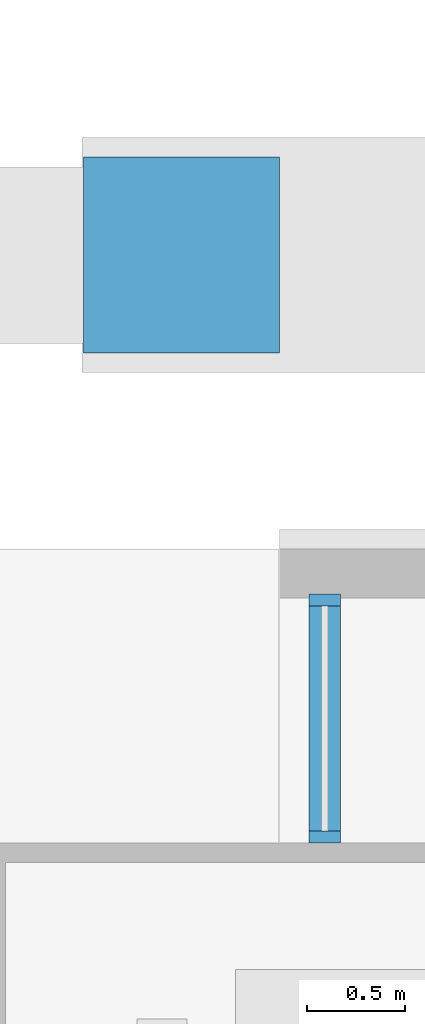
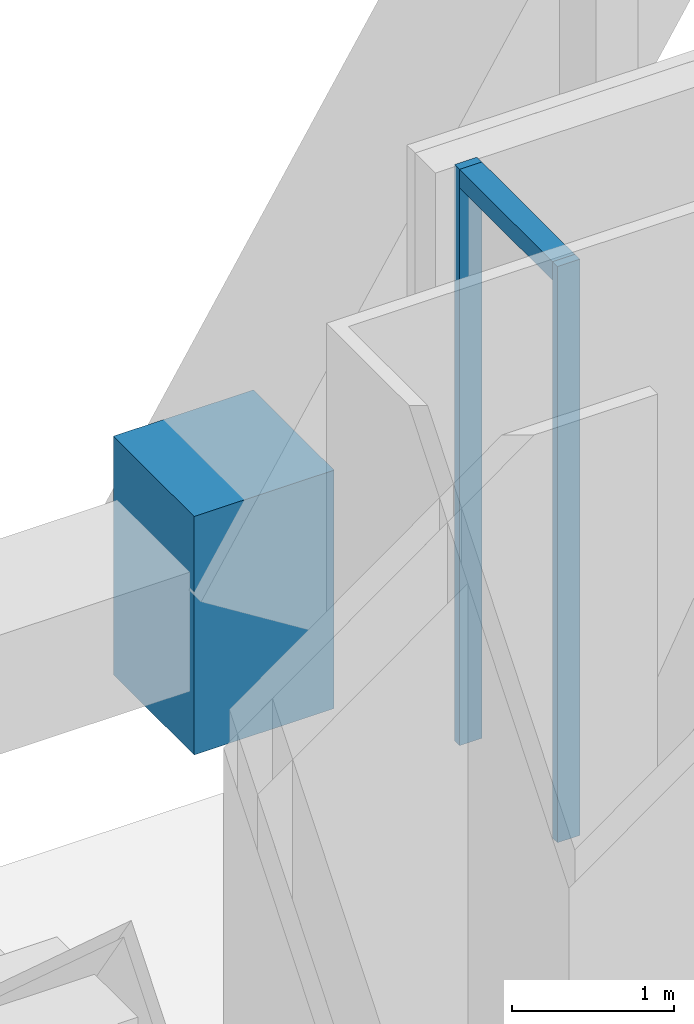
# One storey, part 13 of 29: 4 members, 1 element without a shape of its own.
"""IFC4 building model written with IfcOpenShell, lengths in metres."""

from ifc_helpers import new_model, si_unit, direction, frame, origin, origin_2d, place, context, subcontext, project, spatial, rectangle, extrude, material, material_profile, profile_set, type_object, element, aggregate, save


model = new_model("IFC4")

# Units and contexts
model_context = context("Model", 3, precision=1e-05, world=origin(), true_north=direction((0.0, 1.0)))
body_context = subcontext(model_context, "Body", "Model", "MODEL_VIEW")
ifc_project = project(units=[si_unit("LENGTHUNIT", "METRE"), si_unit("AREAUNIT", "SQUARE_METRE"), si_unit("VOLUMEUNIT", "CUBIC_METRE"), si_unit("PLANEANGLEUNIT", "RADIAN"), si_unit("MASSUNIT", "GRAM", prefix="KILO")], contexts=[model_context])

# Site, building, storey
site_placement = place(None, origin())
site = spatial("IfcSite", under=ifc_project, at=site_placement, CompositionType="ELEMENT")
building_placement = place(site_placement, origin())
building = spatial("IfcBuilding", under=site, at=building_placement, Name="Bicima Exchange Tower", CompositionType="ELEMENT")
storey_placement = place(building_placement, frame((0.0, 0.0, 35.0)))
storey = spatial("IfcBuildingStorey", under=building, at=storey_placement, Name="L06", CompositionType="ELEMENT", Elevation=35.0)

# Member
ifc_material_1 = material(Name="Cast steel ASTM A216 Gr WCB", Category="steel")
ifc_material_profile_1 = material_profile(ifc_material_1, rectangle(XDim=1.0, YDim=1.0, at=origin_2d()))
ifc_profile_set_1 = profile_set([ifc_material_profile_1], Name="Cast steel ASTM A216 Gr WCB")
member_type_1 = type_object("IfcMemberType", Name="Exo node block", PredefinedType="POST", material=ifc_profile_set_1)
member_1_placement = place(storey_placement, frame((-33.5, 1.5, -0.449951171875), z_axis=(0.0, 0.0, 1.0), x_axis=(1.0, 0.0, 0.0)))
element("IfcMember", 1, at=member_1_placement, inside=storey, type_object=member_type_1, Name="Exo node block", PredefinedType="POST", context=body_context, shape_type="SweptSolid", body=[
    extrude(rectangle(XDim=1.0, YDim=1.0, at=origin_2d()), origin(), (0.0, 0.0, 1.0), 1.800048828125),
])

# Curtain wall, members
ifc_material_2 = material(Name="Anodised bronze aluminium", Category="aluminium")
curtain_wall_type = type_object("IfcCurtainWallType", Name="Front glass wall", PredefinedType="NOTDEFINED", material=ifc_material_2)
curtain_wall_placement = place(storey_placement, origin())
curtain_wall = element("IfcCurtainWall", 2, at=curtain_wall_placement, inside=storey, type_object=curtain_wall_type, Name="Front glass wall L06 run 1", PredefinedType="NOTDEFINED")
ifc_material_profile_2 = material_profile(ifc_material_2, rectangle(XDim=0.159912109375, YDim=0.06005859375, at=origin_2d()))
ifc_profile_set_2 = profile_set([ifc_material_profile_2], Name="Anodised bronze aluminium")
member_type_2 = type_object("IfcMemberType", Name="Front glass wall mullion 60 x 160", PredefinedType="MULLION", material=ifc_profile_set_2)
member_2_placement = place(storey_placement, frame((-32.77001953125, -0.260009765625, 0.0), z_axis=(0.0, 0.0, 1.0), x_axis=(1.0, 0.0, 0.0)))
member_2 = element("IfcMember", 3, at=member_2_placement, type_object=member_type_2, Name="Front glass wall mullion 1", PredefinedType="MULLION", context=body_context, shape_type="SweptSolid", body=[
    extrude(rectangle(XDim=0.159912109375, YDim=0.06005859375, at=origin_2d()), origin(), (0.0, 0.0, 1.0), 4.35009765625),
])
member_3_placement = place(storey_placement, frame((-32.77001953125, -1.469970703125, 0.0), z_axis=(0.0, 0.0, 1.0), x_axis=(1.0, 0.0, 0.0)))
member_3 = element("IfcMember", 4, at=member_3_placement, type_object=member_type_2, Name="Front glass wall mullion 2", PredefinedType="MULLION", context=body_context, shape_type="SweptSolid", body=[
    extrude(rectangle(XDim=0.159912109375, YDim=0.06005859375, at=origin_2d()), origin(), (0.0, 0.0, 1.0), 4.35009765625),
])
ifc_material_profile_3 = material_profile(ifc_material_2, rectangle(XDim=0.159912109375, YDim=0.139892578125, at=origin_2d()))
ifc_profile_set_3 = profile_set([ifc_material_profile_3], Name="Anodised bronze aluminium")
member_type_3 = type_object("IfcMemberType", Name="Front glass wall transom 140 x 160", PredefinedType="USERDEFINED", material=ifc_profile_set_3)
member_4_placement = place(storey_placement, frame((-32.77001953125, -0.2900390625, 4.280029296875), z_axis=(0.0, -1.0, 0.0), x_axis=(1.0, 0.0, 0.0)))
member_4 = element("IfcMember", 5, at=member_4_placement, type_object=member_type_3, Name="Front glass wall transom 1.1", ObjectType="TRANSOM", PredefinedType="USERDEFINED", context=body_context, shape_type="SweptSolid", body=[
    extrude(rectangle(XDim=0.159912109375, YDim=0.139892578125, at=origin_2d()), origin(), (0.0, 0.0, 1.0), 1.14990234375),
])
aggregate(curtain_wall, [member_2, member_3, member_4])

save(model, "model.ifc")
